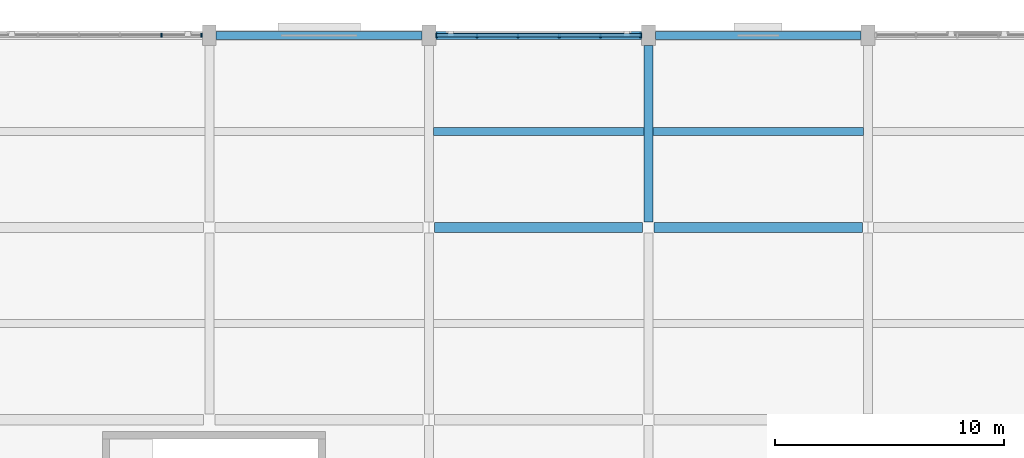
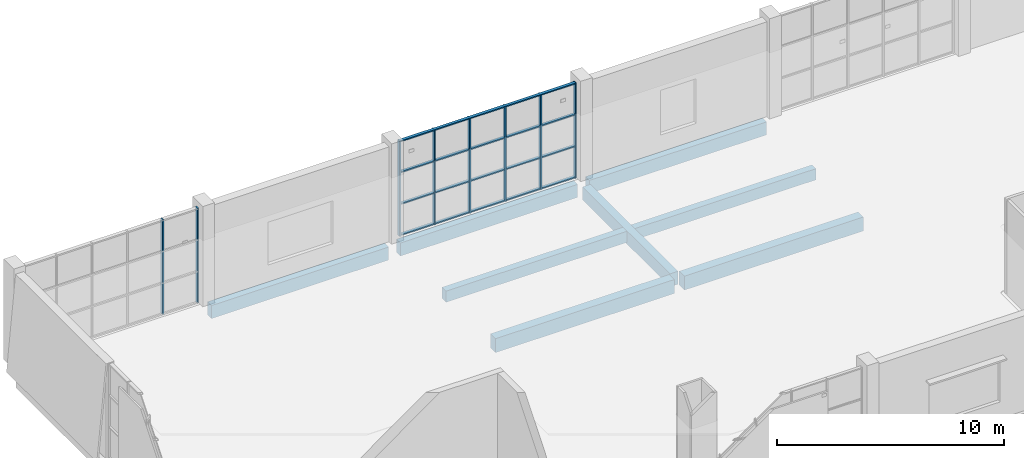
# One storey, part 19 of 57: 12 members, 8 beams, 2 elements without a shape of their own.
"""IFC4 building model written with IfcOpenShell, lengths in metres."""

from ifc_helpers import new_model, si_unit, direction, frame, origin, origin_2d, place, context, subcontext, project, spatial, rectangle, extrude, material, material_profile, profile_set, type_object, element, aggregate, save


model = new_model("IFC4")

# Units and contexts
model_context = context("Model", 3, precision=1e-05, world=origin(), true_north=direction((0.0, 1.0)))
body_context = subcontext(model_context, "Body", "Model", "MODEL_VIEW")
ifc_project = project(units=[si_unit("LENGTHUNIT", "METRE"), si_unit("AREAUNIT", "SQUARE_METRE"), si_unit("VOLUMEUNIT", "CUBIC_METRE"), si_unit("PLANEANGLEUNIT", "RADIAN"), si_unit("MASSUNIT", "GRAM", prefix="KILO")], contexts=[model_context])

# Site, building, storey
site_placement = place(None, origin())
site = spatial("IfcSite", under=ifc_project, at=site_placement, CompositionType="ELEMENT")
building_placement = place(site_placement, origin())
building = spatial("IfcBuilding", under=site, at=building_placement, Name="Shalvenor Court Art Gallery", CompositionType="ELEMENT")
storey_placement = place(building_placement, frame((0.0, 0.0, 16.800048828125)))
storey = spatial("IfcBuildingStorey", under=building, at=storey_placement, Name="L03", CompositionType="ELEMENT", Elevation=16.800048828125)

# Beams
ifc_material_1 = material(Name="Concrete C40/50", Category="concrete")
ifc_material_profile_1 = material_profile(ifc_material_1, rectangle(XDim=0.449951171875, YDim=0.75, at=origin_2d()), Name="RC 450x750")
ifc_profile_set_1 = profile_set([ifc_material_profile_1], Name="Concrete C40/50")
beam_type_1 = type_object("IfcBeamType", Name="B-04", PredefinedType="BEAM", material=ifc_profile_set_1)
beam_1_placement = place(storey_placement, frame((77.050048828125, 114.0, -0.675048828125), z_axis=(1.0, 0.0, 0.0), x_axis=(0.0, 1.0, 0.0)))
element("IfcBeam", 1, at=beam_1_placement, inside=storey, type_object=beam_type_1, Name="L03 Girder BM-L03-B-04-1115", PredefinedType="BEAM", context=body_context, shape_type="SweptSolid", body=[
    extrude(rectangle(XDim=0.449951171875, YDim=0.75, at=origin_2d()), origin(), (0.0, 0.0, 1.0), 9.099853515625),
])
beam_2_placement = place(storey_placement, frame((86.64990234375, 114.0, -0.675048828125), z_axis=(1.0, 0.0, 0.0), x_axis=(0.0, 1.0, 0.0)))
element("IfcBeam", 2, at=beam_2_placement, inside=storey, type_object=beam_type_1, Name="L03 Girder BM-L03-B-04-1116", PredefinedType="BEAM", context=body_context, shape_type="SweptSolid", body=[
    extrude(rectangle(XDim=0.449951171875, YDim=0.75, at=origin_2d()), origin(), (0.0, 0.0, 1.0), 9.10009765625),
])
ifc_material_2 = material(Name="Concrete C40/50", Category="concrete")
ifc_material_profile_2 = material_profile(ifc_material_2, rectangle(XDim=0.39990234375, YDim=0.699951171875, at=origin_2d()), Name="RC 400x700")
ifc_profile_set_2 = profile_set([ifc_material_profile_2], Name="Concrete C40/50")
beam_type_2 = type_object("IfcBeamType", Name="B-05", PredefinedType="BEAM", material=ifc_profile_set_2)
beam_3_placement = place(storey_placement, frame((86.39990234375, 114.25, -0.650146484375), z_axis=(0.0, 1.0, 0.0), x_axis=(-1.0, 0.0, 0.0)))
element("IfcBeam", 3, at=beam_3_placement, inside=storey, type_object=beam_type_2, Name="L03 Girder BM-L03-B-05-0988", PredefinedType="BEAM", context=body_context, shape_type="SweptSolid", body=[
    extrude(rectangle(XDim=0.39990234375, YDim=0.699951171875, at=origin_2d()), origin(), (0.0, 0.0, 1.0), 7.699951171875),
])

# Curtain wall, members
ifc_material_3 = material(Name="Anodised aluminium and low-iron glass curtain wall", Category="aluminium")
curtain_wall_type_1 = type_object("IfcCurtainWallType", Name="CW-5x3-90-51-142", PredefinedType="USERDEFINED", material=ifc_material_3)
curtain_wall_1_placement = place(storey_placement, origin())
curtain_wall_1 = element("IfcCurtainWall", 4, at=curtain_wall_1_placement, inside=storey, type_object=curtain_wall_type_1, Name="L03 V2 Curtain Wall CW-L03-080", ObjectType="CURTAIN WALL", PredefinedType="USERDEFINED")
ifc_material_4 = material(Name="Anodised aluminium mullion", Category="aluminium")
ifc_material_profile_3 = material_profile(ifc_material_4, rectangle(XDim=0.06494140625, YDim=0.179931640625, at=origin_2d()), Name="CWM-01")
ifc_profile_set_3 = profile_set([ifc_material_profile_3], Name="Anodised aluminium mullion")
member_type_1 = type_object("IfcMemberType", Name="CWM-01", PredefinedType="MULLION", material=ifc_profile_set_3)
member_1_placement = place(storey_placement, frame((65.10009765625, 122.39990234375, 0.0), z_axis=(0.0, 0.0, 1.0), x_axis=(1.0, 0.0, 0.0)))
member_1 = element("IfcMember", 5, at=member_1_placement, type_object=member_type_1, Name="CW-5x3-90-51-142 mullion 5", PredefinedType="MULLION", context=body_context, shape_type="SweptSolid", body=[
    extrude(rectangle(XDim=0.06494140625, YDim=0.179931640625, at=origin_2d()), origin(), (0.0, 0.0, 1.0), 5.099853515625),
])
member_2_placement = place(storey_placement, frame((66.867431640625, 122.39990234375, 0.0), z_axis=(0.0, 0.0, 1.0), x_axis=(1.0, 0.0, 0.0)))
member_2 = element("IfcMember", 6, at=member_2_placement, type_object=member_type_1, Name="CW-5x3-90-51-142 mullion 6", PredefinedType="MULLION", context=body_context, shape_type="SweptSolid", body=[
    extrude(rectangle(XDim=0.06494140625, YDim=0.179931640625, at=origin_2d()), origin(), (0.0, 0.0, 1.0), 5.099853515625),
])
aggregate(curtain_wall_1, [member_1, member_2])

ifc_material_5 = material(Name="Anodised aluminium and low-iron glass curtain wall", Category="aluminium")
curtain_wall_type_2 = type_object("IfcCurtainWallType", Name="CW-5x3-90-51-212", PredefinedType="USERDEFINED", material=ifc_material_5)
curtain_wall_2_placement = place(storey_placement, origin())
curtain_wall_2 = element("IfcCurtainWall", 7, at=curtain_wall_2_placement, inside=storey, type_object=curtain_wall_type_2, Name="L03 V2 Curtain Wall CW-L03-081", ObjectType="CURTAIN WALL", PredefinedType="USERDEFINED")
ifc_material_6 = material(Name="Anodised aluminium mullion", Category="aluminium")
ifc_material_profile_4 = material_profile(ifc_material_6, rectangle(XDim=0.070068359375, YDim=0.199951171875, at=origin_2d()), Name="CWM-02")
ifc_profile_set_4 = profile_set([ifc_material_profile_4], Name="Anodised aluminium mullion")
member_type_2 = type_object("IfcMemberType", Name="CWM-02", PredefinedType="MULLION", material=ifc_profile_set_4)
member_3_placement = place(storey_placement, frame((77.135009765625, 122.39990234375, 0.0), z_axis=(0.0, 0.0, 1.0), x_axis=(1.0, 0.0, 0.0)))
member_3 = element("IfcMember", 8, at=member_3_placement, type_object=member_type_2, Name="CW-5x3-90-51-212 mullion 1", PredefinedType="MULLION", context=body_context, shape_type="SweptSolid", body=[
    extrude(rectangle(XDim=0.070068359375, YDim=0.199951171875, at=origin_2d()), origin(), (0.0, 0.0, 1.0), 5.099853515625),
])
member_4_placement = place(storey_placement, frame((78.89990234375, 122.39990234375, 0.0), z_axis=(0.0, 0.0, 1.0), x_axis=(1.0, 0.0, 0.0)))
member_4 = element("IfcMember", 9, at=member_4_placement, type_object=member_type_2, Name="CW-5x3-90-51-212 mullion 2", PredefinedType="MULLION", context=body_context, shape_type="SweptSolid", body=[
    extrude(rectangle(XDim=0.070068359375, YDim=0.199951171875, at=origin_2d()), origin(), (0.0, 0.0, 1.0), 5.099853515625),
])
member_5_placement = place(storey_placement, frame((80.699951171875, 122.39990234375, 0.0), z_axis=(0.0, 0.0, 1.0), x_axis=(1.0, 0.0, 0.0)))
member_5 = element("IfcMember", 10, at=member_5_placement, type_object=member_type_2, Name="CW-5x3-90-51-212 mullion 3", PredefinedType="MULLION", context=body_context, shape_type="SweptSolid", body=[
    extrude(rectangle(XDim=0.070068359375, YDim=0.199951171875, at=origin_2d()), origin(), (0.0, 0.0, 1.0), 5.099853515625),
])
member_6_placement = place(storey_placement, frame((82.5, 122.39990234375, 0.0), z_axis=(0.0, 0.0, 1.0), x_axis=(1.0, 0.0, 0.0)))
member_6 = element("IfcMember", 11, at=member_6_placement, type_object=member_type_2, Name="CW-5x3-90-51-212 mullion 4", PredefinedType="MULLION", context=body_context, shape_type="SweptSolid", body=[
    extrude(rectangle(XDim=0.070068359375, YDim=0.199951171875, at=origin_2d()), origin(), (0.0, 0.0, 1.0), 5.099853515625),
])
member_7_placement = place(storey_placement, frame((84.300048828125, 122.39990234375, 0.0), z_axis=(0.0, 0.0, 1.0), x_axis=(1.0, 0.0, 0.0)))
member_7 = element("IfcMember", 12, at=member_7_placement, type_object=member_type_2, Name="CW-5x3-90-51-212 mullion 5", PredefinedType="MULLION", context=body_context, shape_type="SweptSolid", body=[
    extrude(rectangle(XDim=0.070068359375, YDim=0.199951171875, at=origin_2d()), origin(), (0.0, 0.0, 1.0), 5.099853515625),
])
member_8_placement = place(storey_placement, frame((86.06494140625, 122.39990234375, 0.0), z_axis=(0.0, 0.0, 1.0), x_axis=(1.0, 0.0, 0.0)))
member_8 = element("IfcMember", 13, at=member_8_placement, type_object=member_type_2, Name="CW-5x3-90-51-212 mullion 6", PredefinedType="MULLION", context=body_context, shape_type="SweptSolid", body=[
    extrude(rectangle(XDim=0.070068359375, YDim=0.199951171875, at=origin_2d()), origin(), (0.0, 0.0, 1.0), 5.099853515625),
])
ifc_material_7 = material(Name="Anodised aluminium transom", Category="aluminium")
ifc_material_profile_5 = material_profile(ifc_material_7, rectangle(XDim=0.14990234375, YDim=0.06005859375, at=origin_2d()), Name="CWT-01")
ifc_profile_set_5 = profile_set([ifc_material_profile_5], Name="Anodised aluminium transom")
member_type_3 = type_object("IfcMemberType", Name="CWT-01", PredefinedType="USERDEFINED", material=ifc_profile_set_5)
member_9_placement = place(storey_placement, frame((77.135009765625, 122.39990234375, 0.030029296875), z_axis=(1.0, 0.0, 0.0), x_axis=(0.0, 1.0, 0.0)))
member_9 = element("IfcMember", 14, at=member_9_placement, type_object=member_type_3, Name="CW-5x3-90-51-212 transom 1", ObjectType="TRANSOM", PredefinedType="USERDEFINED", context=body_context, shape_type="SweptSolid", body=[
    extrude(rectangle(XDim=0.14990234375, YDim=0.06005859375, at=origin_2d()), origin(), (0.0, 0.0, 1.0), 8.929931640625),
])
member_10_placement = place(storey_placement, frame((77.135009765625, 122.39990234375, 1.699951171875), z_axis=(1.0, 0.0, 0.0), x_axis=(0.0, 1.0, 0.0)))
member_10 = element("IfcMember", 15, at=member_10_placement, type_object=member_type_3, Name="CW-5x3-90-51-212 transom 2", ObjectType="TRANSOM", PredefinedType="USERDEFINED", context=body_context, shape_type="SweptSolid", body=[
    extrude(rectangle(XDim=0.14990234375, YDim=0.06005859375, at=origin_2d()), origin(), (0.0, 0.0, 1.0), 8.929931640625),
])
member_11_placement = place(storey_placement, frame((77.135009765625, 122.39990234375, 3.39990234375), z_axis=(1.0, 0.0, 0.0), x_axis=(0.0, 1.0, 0.0)))
member_11 = element("IfcMember", 16, at=member_11_placement, type_object=member_type_3, Name="CW-5x3-90-51-212 transom 3", ObjectType="TRANSOM", PredefinedType="USERDEFINED", context=body_context, shape_type="SweptSolid", body=[
    extrude(rectangle(XDim=0.14990234375, YDim=0.06005859375, at=origin_2d()), origin(), (0.0, 0.0, 1.0), 8.929931640625),
])
member_12_placement = place(storey_placement, frame((77.135009765625, 122.39990234375, 5.070068359375), z_axis=(1.0, 0.0, 0.0), x_axis=(0.0, 1.0, 0.0)))
member_12 = element("IfcMember", 17, at=member_12_placement, type_object=member_type_3, Name="CW-5x3-90-51-212 transom 4", ObjectType="TRANSOM", PredefinedType="USERDEFINED", context=body_context, shape_type="SweptSolid", body=[
    extrude(rectangle(XDim=0.14990234375, YDim=0.06005859375, at=origin_2d()), origin(), (0.0, 0.0, 1.0), 8.929931640625),
])
aggregate(curtain_wall_2, [member_3, member_4, member_5, member_6, member_7, member_8, member_9, member_10, member_11, member_12])

# Beams
ifc_material_8 = material(Name="Concrete C40/50", Category="concrete")
ifc_material_profile_6 = material_profile(ifc_material_8, rectangle(XDim=0.35009765625, YDim=0.60009765625, at=origin_2d()), Name="RC 350x600")
ifc_profile_set_6 = profile_set([ifc_material_profile_6], Name="Concrete C40/50")
beam_type_3 = type_object("IfcBeamType", Name="J-01", PredefinedType="JOIST", material=ifc_profile_set_6)
for number, where, z_axis, x_axis, name in (
    (18, (77.0, 118.199951171875, -0.60009765625), (1.0, 0.0, 0.0), (0.0, 1.0, 0.0), "L03 Secondary Beam JST-L03-J-01-1138"),
    (19, (86.60009765625, 118.199951171875, -0.60009765625), (1.0, 0.0, 0.0), (0.0, 1.0, 0.0), "L03 Secondary Beam JST-L03-J-01-1141"),
):
    element("IfcBeam", number, at=place(storey_placement, frame(where, z_axis=z_axis, x_axis=x_axis)), inside=storey, type_object=beam_type_3, Name=name, PredefinedType="JOIST", context=body_context, shape_type="SweptSolid", body=[
        extrude(rectangle(XDim=0.35009765625, YDim=0.60009765625, at=origin_2d()), origin(), (0.0, 0.0, 1.0), 9.199951171875),
    ])
ifc_material_9 = material(Name="Concrete C40/50", Category="concrete")
ifc_material_profile_7 = material_profile(ifc_material_9, rectangle(XDim=0.35009765625, YDim=0.699951171875, at=origin_2d()), Name="RC 350x700")
ifc_profile_set_7 = profile_set([ifc_material_profile_7], Name="Concrete C40/50")
beam_type_4 = type_object("IfcBeamType", Name="SP-01", PredefinedType="SPANDREL", material=ifc_profile_set_7)
for number, where, z_axis, x_axis, name in (
    (20, (67.5, 122.39990234375, -0.650146484375), (1.0, 0.0, 0.0), (0.0, 1.0, 0.0), "L03 Spandrel Girder BM-L03-SP-01-1124"),
    (21, (77.10009765625, 122.39990234375, -0.650146484375), (1.0, 0.0, 0.0), (0.0, 1.0, 0.0), "L03 Spandrel Girder BM-L03-SP-01-1125"),
    (22, (86.699951171875, 122.39990234375, -0.650146484375), (1.0, 0.0, 0.0), (0.0, 1.0, 0.0), "L03 Spandrel Girder BM-L03-SP-01-1126"),
):
    element("IfcBeam", number, at=place(storey_placement, frame(where, z_axis=z_axis, x_axis=x_axis)), inside=storey, type_object=beam_type_4, Name=name, PredefinedType="SPANDREL", context=body_context, shape_type="SweptSolid", body=[
        extrude(rectangle(XDim=0.35009765625, YDim=0.699951171875, at=origin_2d()), origin(), (0.0, 0.0, 1.0), 9.0),
    ])

save(model, "model.ifc")
